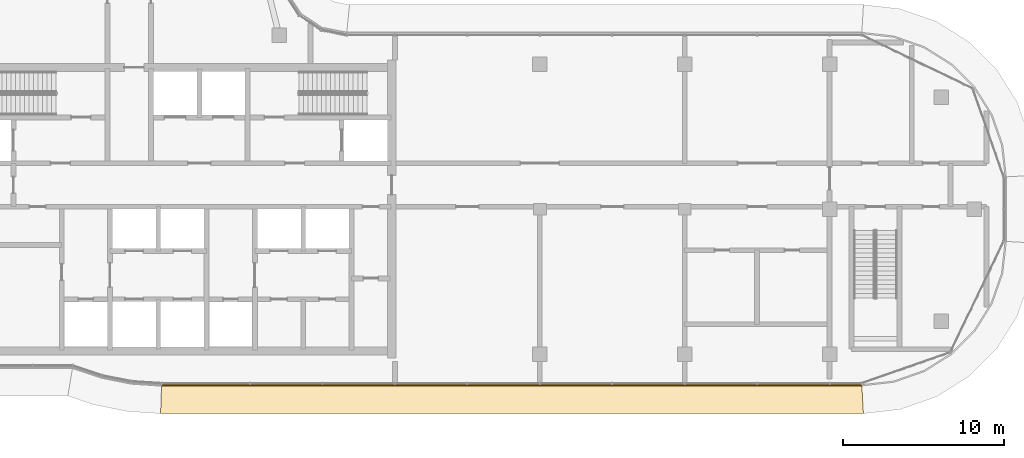
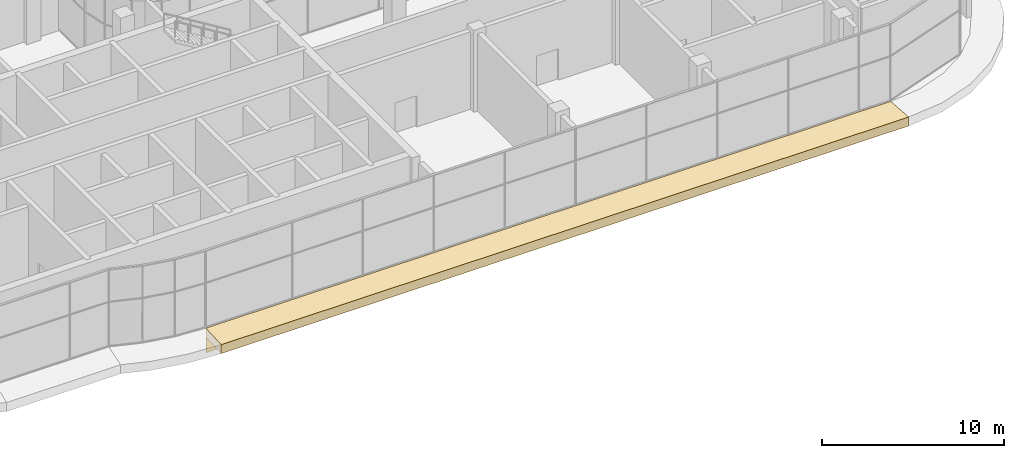
# One storey, part 21 of 23: 2 coverings.
"""IFC4 building model written with IfcOpenShell, lengths in metres."""

from ifc_helpers import new_model, si_unit, direction, frame, origin, place, context, subcontext, project, spatial, polyline, outline, extrude, material, layer, layer_set, type_object, element, save


model = new_model("IFC4")

# Units and contexts
model_context = context("Model", 3, precision=1e-05, world=origin(), true_north=direction((0.0, 1.0)))
body_context = subcontext(model_context, "Body", "Model", "MODEL_VIEW")
ifc_project = project(units=[si_unit("LENGTHUNIT", "METRE"), si_unit("AREAUNIT", "SQUARE_METRE"), si_unit("VOLUMEUNIT", "CUBIC_METRE"), si_unit("PLANEANGLEUNIT", "RADIAN"), si_unit("MASSUNIT", "GRAM", prefix="KILO")], contexts=[model_context])

# Site, building, storey
site_placement = place(None, origin())
site = spatial("IfcSite", under=ifc_project, at=site_placement, CompositionType="ELEMENT")
building_placement = place(site_placement, origin())
building = spatial("IfcBuilding", under=site, at=building_placement, Name="Ogive Portal Towers", CompositionType="ELEMENT")
storey_placement = place(building_placement, frame((0.0, 0.0, 249.39990234375)))
storey = spatial("IfcBuildingStorey", under=building, at=storey_placement, Name="L62", CompositionType="ELEMENT", Elevation=249.39990234375)

# Coverings
ifc_material = material(Name="Limestone cladding on lightweight block wall", Category="masonry")
ifc_layer_1 = layer(ifc_material, 0.080078125)
ifc_layer_set_1 = layer_set([ifc_layer_1], Name="STONE SPANDREL 80")
covering_type_1 = type_object("IfcCoveringType", Name="STONE SPANDREL 80", PredefinedType="CLADDING", material=ifc_layer_set_1)
covering_1_placement = place(storey_placement, frame((0.0, 0.0, -1.599853515625)))
element("IfcCovering", 1, at=covering_1_placement, inside=storey, type_object=covering_type_1, Name="Stone spandrel A1-F05", PredefinedType="CLADDING", context=body_context, shape_type="SweptSolid", body=[
    extrude(outline(polyline([(44.0, 19.60009765625), (87.5, 19.60009765625), (87.50439453125, 19.52001953125), (43.997314453125, 19.52001953125), (44.0, 19.60009765625)])), origin(), (0.0, 0.0, 1.0), 1.0),
])
ifc_layer_2 = layer(ifc_material, 0.60009765625)
ifc_layer_set_2 = layer_set([ifc_layer_2], Name="SUNSHADE LIP 600")
covering_type_2 = type_object("IfcCoveringType", Name="SUNSHADE LIP 600", PredefinedType="CLADDING", material=ifc_layer_set_2)
covering_2_placement = place(storey_placement, frame((0.0, 0.0, -0.599853515625)))
element("IfcCovering", 2, at=covering_2_placement, inside=storey, type_object=covering_type_2, Name="Sunshade lip A1-F05", PredefinedType="CLADDING", context=body_context, shape_type="SweptSolid", body=[
    extrude(outline(polyline([(44.0, 19.60009765625), (87.5, 19.60009765625), (87.60107421875, 17.800048828125), (43.941162109375, 17.800048828125), (44.0, 19.60009765625)])), origin(), (0.0, 0.0, 1.0), 0.599853515625),
])

save(model, "model.ifc")
